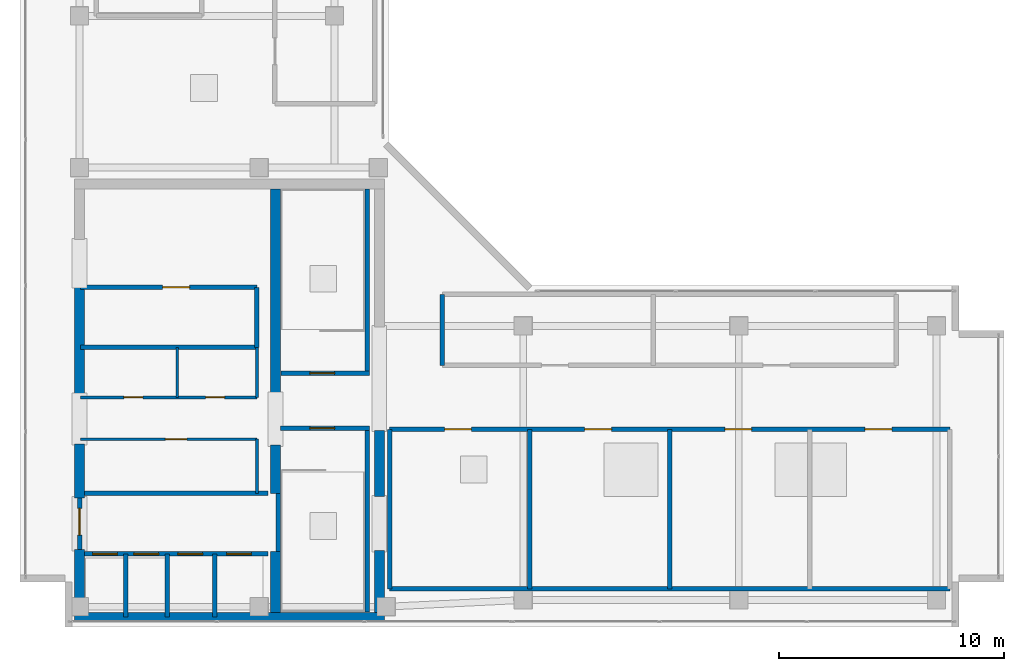
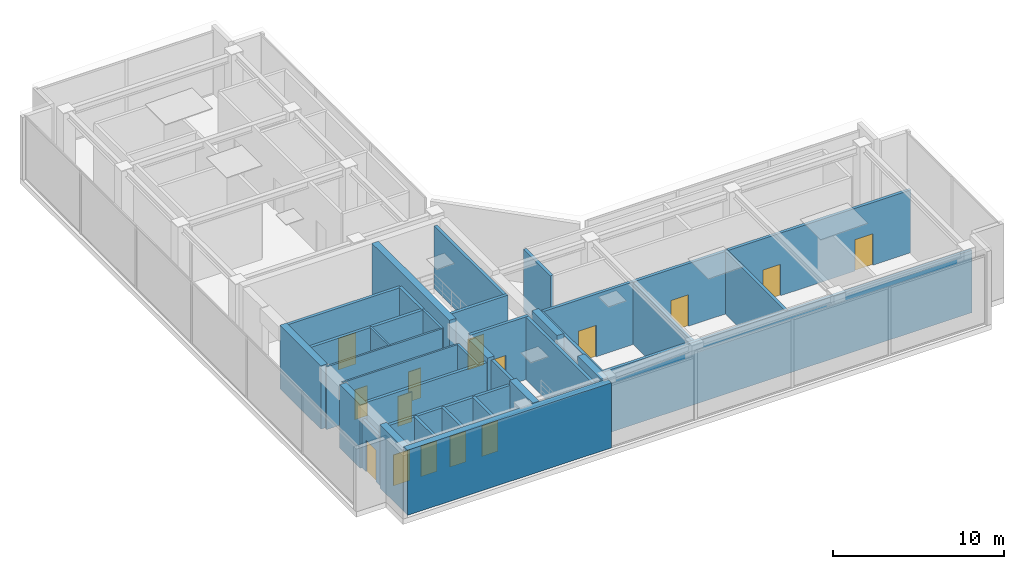
# One storey, part 20 of 22: 34 walls, 15 doors, 15 openings.
"""IFC4 building model written with IfcOpenShell, lengths in metres."""

from ifc_helpers import new_model, si_unit, direction, frame, frame_2d, origin, place, context, subcontext, project, spatial, rectangle, extrude, material, layer, layer_set, type_object, element, fill, save


model = new_model("IFC4")

# Units and contexts
model_context = context("Model", 3, precision=1e-05, world=origin(), true_north=direction((0.0, 1.0)))
body_context = subcontext(model_context, "Body", "Model", "MODEL_VIEW")
ifc_project = project(units=[si_unit("LENGTHUNIT", "METRE"), si_unit("AREAUNIT", "SQUARE_METRE"), si_unit("VOLUMEUNIT", "CUBIC_METRE"), si_unit("PLANEANGLEUNIT", "RADIAN"), si_unit("MASSUNIT", "GRAM", prefix="KILO")], contexts=[model_context])

# Site, building, storey
site_placement = place(None, origin())
site = spatial("IfcSite", under=ifc_project, at=site_placement, CompositionType="ELEMENT")
building_placement = place(site_placement, origin())
building = spatial("IfcBuilding", under=site, at=building_placement, Name="Kolvaren Waterfront Exchange", CompositionType="ELEMENT")
storey_placement = place(building_placement, frame((0.0, 0.0, 360.39990234375)))
storey = spatial("IfcBuildingStorey", under=building, at=storey_placement, Name="RF", CompositionType="ELEMENT", Elevation=360.39990234375)

# Wall, opening, door
ifc_material_1 = material(Name="Precast concrete C40/50", Category="concrete")
ifc_layer_1 = layer(ifc_material_1, 0.199951171875, Name="Precast concrete C40/50")
ifc_layer_set_1 = layer_set([ifc_layer_1], Name="Precast concrete C40/50")
wall_type_1 = type_object("IfcWallType", Name="ARC-FIRE-200", PredefinedType="PARTITIONING", material=ifc_layer_set_1)
wall_1_placement = place(storey_placement, frame((16.39990234375, 12.85009765625, 0.0), z_axis=(0.0, 0.0, 1.0), x_axis=(1.0, 0.0, 0.0)))
wall_1 = element("IfcWall", 1, at=wall_1_placement, inside=storey, type_object=wall_type_1, Name="RF interior wall PW-RF-ST1-THROAT-S", PredefinedType="PARTITIONING", context=body_context, shape_type="SweptSolid", body=[
    extrude(rectangle(XDim=3.960205078125, YDim=0.199951171875, at=frame_2d((1.97998046875, 0.0))), origin(), (0.0, 0.0, 1.0), 4.47998046875),
])
opening_1_placement = place(wall_1_placement, frame((1.3037109375, 0.0, 0.0)))
opening_1 = element("IfcOpeningElement", 2, at=opening_1_placement, cuts=wall_1, Name="Opening FD2", PredefinedType="OPENING", context=body_context, shape_type="SweptSolid", body=[
    extrude(rectangle(XDim=1.10009765625, YDim=2.199951171875, at=frame_2d((0.550048828125, 1.10009765625))), frame((0.0, 0.10986328125, 0.0), z_axis=(0.0, -1.0, 0.0), x_axis=(1.0, 0.0, 0.0)), (0.0, 0.0, 1.0), 0.219970703125),
])
ifc_material_2 = material(Name="Pressed steel smoke-seal fire door", Category="steel")
door_type_1 = type_object("IfcDoorType", Name="ARC-FD-1100", OperationType="NOTDEFINED", PredefinedType="DOOR", material=ifc_material_2)
door_1_placement = place(opening_1_placement, frame((1.10009765625, 0.0, 0.0), z_axis=(0.0, 0.0, 1.0), x_axis=(-1.0, 0.0, 0.0)))
door_1 = element("IfcDoor", 3, at=door_1_placement, inside=storey, type_object=door_type_1, Name="RF door DR-RF-ST1-IN (FD2)", OperationType="SINGLE_SWING_LEFT", OverallHeight=2.199951171875, OverallWidth=1.10009765625, PredefinedType="DOOR", context=body_context, shape_type="SweptSolid", body=[
    extrude(rectangle(XDim=1.10009765625, YDim=2.199951171875, at=frame_2d((0.550048828125, 1.10009765625))), frame((0.0, 0.02490234375, 0.0), z_axis=(0.0, -1.0, 0.0), x_axis=(1.0, 0.0, 0.0)), (0.0, 0.0, 1.0), 0.050048828125),
])
fill(opening_1, door_1)

wall_2_placement = place(storey_placement, frame((16.409912109375, 15.300048828125, 0.0), z_axis=(0.0, 0.0, 1.0), x_axis=(1.0, 0.0, 0.0)))
wall_2 = element("IfcWall", 4, at=wall_2_placement, inside=storey, type_object=wall_type_1, Name="RF interior wall PW-RF-ST2-THROAT-N", PredefinedType="PARTITIONING", context=body_context, shape_type="SweptSolid", body=[
    extrude(rectangle(XDim=3.9501953125, YDim=0.199951171875, at=frame_2d((1.97509765625, 0.0))), origin(), (0.0, 0.0, 1.0), 4.47998046875),
])
opening_2_placement = place(wall_2_placement, frame((1.293701171875, 0.0, 0.0)))
opening_2 = element("IfcOpeningElement", 5, at=opening_2_placement, cuts=wall_2, Name="Opening FD2", PredefinedType="OPENING", context=body_context, shape_type="SweptSolid", body=[
    extrude(rectangle(XDim=1.10009765625, YDim=2.199951171875, at=frame_2d((0.550048828125, 1.10009765625))), frame((0.0, 0.10986328125, 0.0), z_axis=(0.0, -1.0, 0.0), x_axis=(1.0, 0.0, 0.0)), (0.0, 0.0, 1.0), 0.219970703125),
])
door_2_placement = place(opening_2_placement, origin())
door_2 = element("IfcDoor", 6, at=door_2_placement, inside=storey, type_object=door_type_1, Name="RF door DR-RF-ST2-IN (FD2)", OperationType="SINGLE_SWING_RIGHT", OverallHeight=2.199951171875, OverallWidth=1.10009765625, PredefinedType="DOOR", context=body_context, shape_type="SweptSolid", body=[
    extrude(rectangle(XDim=1.10009765625, YDim=2.199951171875, at=frame_2d((0.550048828125, 1.10009765625))), frame((0.0, 0.02490234375, 0.0), z_axis=(0.0, -1.0, 0.0), x_axis=(1.0, 0.0, 0.0)), (0.0, 0.0, 1.0), 0.050048828125),
])
fill(opening_2, door_2)

# Wall
wall_3_placement = place(storey_placement, frame((7.5, 9.949951171875, 0.0), z_axis=(0.0, 0.0, 1.0), x_axis=(1.0, 0.0, 0.0)))
element("IfcWall", 7, at=wall_3_placement, inside=storey, type_object=wall_type_1, Name="RF interior wall PW-RF-FF-N", PredefinedType="PARTITIONING", context=body_context, shape_type="SweptSolid", body=[
    extrude(rectangle(XDim=8.35009765625, YDim=0.199951171875, at=frame_2d((4.175048828125, 0.0))), origin(), (0.0, 0.0, 1.0), 4.47998046875),
])

# Wall, opening, door
wall_4_placement = place(storey_placement, frame((7.449951171875, 7.449951171875, 0.0), z_axis=(0.0, 0.0, 1.0), x_axis=(0.0, 1.0, 0.0)))
wall_4 = element("IfcWall", 8, at=wall_4_placement, inside=storey, type_object=wall_type_1, Name="RF interior wall PW-RF-FF-W-DOOR", PredefinedType="PARTITIONING", context=body_context, shape_type="SweptSolid", body=[
    extrude(rectangle(XDim=2.300048828125, YDim=0.199951171875, at=frame_2d((1.14990234375, 0.0))), origin(), (0.0, 0.0, 1.0), 3.460205078125),
])
opening_3_placement = place(wall_4_placement, frame((0.63330078125, 0.0, 0.0)))
opening_3 = element("IfcOpeningElement", 9, at=opening_3_placement, cuts=wall_4, Name="Opening FD3", PredefinedType="OPENING", context=body_context, shape_type="SweptSolid", body=[
    extrude(rectangle(XDim=1.199951171875, YDim=2.25, at=frame_2d((0.60009765625, 1.125))), frame((0.0, 0.10986328125, 0.0), z_axis=(0.0, -1.0, 0.0), x_axis=(1.0, 0.0, 0.0)), (0.0, 0.0, 1.0), 0.219970703125),
])
ifc_material_3 = material(Name="Pressed steel fire door", Category="steel")
door_type_2 = type_object("IfcDoorType", Name="ARC-FD-1200", OperationType="NOTDEFINED", PredefinedType="DOOR", material=ifc_material_3)
door_3_placement = place(opening_3_placement, frame((1.199951171875, 0.0, 0.0), z_axis=(0.0, 0.0, 1.0), x_axis=(-1.0, 0.0, 0.0)))
door_3 = element("IfcDoor", 10, at=door_3_placement, inside=storey, type_object=door_type_2, Name="RF door DR-RF-FF-OUT (FD3)", OperationType="SINGLE_SWING_LEFT", OverallHeight=2.25, OverallWidth=1.199951171875, PredefinedType="DOOR", context=body_context, shape_type="SweptSolid", body=[
    extrude(rectangle(XDim=1.199951171875, YDim=2.25, at=frame_2d((0.60009765625, 1.125))), frame((0.0, 0.02490234375, 0.0), z_axis=(0.0, -1.0, 0.0), x_axis=(1.0, 0.0, 0.0)), (0.0, 0.0, 1.0), 0.050048828125),
])
fill(opening_3, door_3)

wall_5_placement = place(storey_placement, frame((7.5, 19.1201171875, 0.0), z_axis=(0.0, 0.0, 1.0), x_axis=(1.0, 0.0, 0.0)))
wall_5 = element("IfcWall", 11, at=wall_5_placement, inside=storey, type_object=wall_type_1, Name="RF interior wall PW-RF-RF-PH-N", PredefinedType="PARTITIONING", context=body_context, shape_type="SweptSolid", body=[
    extrude(rectangle(XDim=7.85009765625, YDim=0.199951171875, at=frame_2d((3.925048828125, 0.0))), origin(), (0.0, 0.0, 1.0), 4.47998046875),
])
opening_4_placement = place(wall_5_placement, frame((3.64990234375, 0.0, 0.0)))
opening_4 = element("IfcOpeningElement", 12, at=opening_4_placement, cuts=wall_5, Name="Opening FD3", PredefinedType="OPENING", context=body_context, shape_type="SweptSolid", body=[
    extrude(rectangle(XDim=1.199951171875, YDim=2.25, at=frame_2d((0.60009765625, 1.125))), frame((0.0, 0.10986328125, 0.0), z_axis=(0.0, -1.0, 0.0), x_axis=(1.0, 0.0, 0.0)), (0.0, 0.0, 1.0), 0.219970703125),
])
door_4_placement = place(opening_4_placement, origin())
door_4 = element("IfcDoor", 13, at=door_4_placement, inside=storey, type_object=door_type_2, Name="RF door DR-RF-RF-CP-D (FD3)", OperationType="SINGLE_SWING_LEFT", OverallHeight=2.25, OverallWidth=1.199951171875, PredefinedType="DOOR", context=body_context, shape_type="SweptSolid", body=[
    extrude(rectangle(XDim=1.199951171875, YDim=2.25, at=frame_2d((0.60009765625, 1.125))), frame((0.0, 0.02490234375, 0.0), z_axis=(0.0, -1.0, 0.0), x_axis=(1.0, 0.0, 0.0)), (0.0, 0.0, 1.0), 0.050048828125),
])
fill(opening_4, door_4)

# Walls
wall_6_placement = place(storey_placement, frame((15.35009765625, 16.449951171875, 0.0), z_axis=(0.0, 0.0, 1.0), x_axis=(0.0, 1.0, 0.0)))
element("IfcWall", 14, at=wall_6_placement, inside=storey, type_object=wall_type_1, Name="RF interior wall PW-RF-RF-PH-E", PredefinedType="PARTITIONING", context=body_context, shape_type="SweptSolid", body=[
    extrude(rectangle(XDim=2.670166015625, YDim=0.199951171875, at=frame_2d((1.3349609375, 0.0))), origin(), (0.0, 0.0, 1.0), 4.47998046875),
])
wall_7_placement = place(storey_placement, frame((23.60009765625, 15.64990234375, 0.0), z_axis=(0.0, 0.0, 1.0), x_axis=(0.0, 1.0, 0.0)))
element("IfcWall", 15, at=wall_7_placement, inside=storey, type_object=wall_type_1, Name="RF interior wall PW-RF-NEPL-W", PredefinedType="PARTITIONING", context=body_context, shape_type="SweptSolid", body=[
    extrude(rectangle(XDim=3.150146484375, YDim=0.199951171875, at=frame_2d((1.5751953125, 0.0))), origin(), (0.0, 0.0, 1.0), 4.47998046875),
])

# Wall, openings, doors
wall_8_placement = place(storey_placement, frame((21.25, 12.800048828125, 0.0), z_axis=(0.0, 0.0, 1.0), x_axis=(1.0, 0.0, 0.0)))
wall_8 = element("IfcWall", 16, at=wall_8_placement, inside=storey, type_object=wall_type_1, Name="RF interior wall PW-RF-PL-N1", PredefinedType="PARTITIONING", context=body_context, shape_type="SweptSolid", body=[
    extrude(rectangle(XDim=24.949951171875, YDim=0.199951171875, at=frame_2d((12.47509765625, 0.0))), origin(), (0.0, 0.0, 1.0), 4.47998046875),
])
opening_5_placement = place(wall_8_placement, frame((2.448486328125, 0.0, 0.0)))
opening_5 = element("IfcOpeningElement", 17, at=opening_5_placement, cuts=wall_8, Name="Opening FD3", PredefinedType="OPENING", context=body_context, shape_type="SweptSolid", body=[
    extrude(rectangle(XDim=1.199951171875, YDim=2.25, at=frame_2d((0.60009765625, 1.125))), frame((0.0, 0.10986328125, 0.0), z_axis=(0.0, -1.0, 0.0), x_axis=(1.0, 0.0, 0.0)), (0.0, 0.0, 1.0), 0.219970703125),
])
opening_6_placement = place(wall_8_placement, frame((8.688720703125, 0.0, 0.0)))
opening_6 = element("IfcOpeningElement", 18, at=opening_6_placement, cuts=wall_8, Name="Opening FD3", PredefinedType="OPENING", context=body_context, shape_type="SweptSolid", body=[
    extrude(rectangle(XDim=1.199951171875, YDim=2.25, at=frame_2d((0.60009765625, 1.125))), frame((0.0, 0.10986328125, 0.0), z_axis=(0.0, -1.0, 0.0), x_axis=(1.0, 0.0, 0.0)), (0.0, 0.0, 1.0), 0.219970703125),
])
opening_7_placement = place(wall_8_placement, frame((14.923828125, 0.0, 0.0)))
opening_7 = element("IfcOpeningElement", 19, at=opening_7_placement, cuts=wall_8, Name="Opening FD3", PredefinedType="OPENING", context=body_context, shape_type="SweptSolid", body=[
    extrude(rectangle(XDim=1.199951171875, YDim=2.25, at=frame_2d((0.60009765625, 1.125))), frame((0.0, 0.10986328125, 0.0), z_axis=(0.0, -1.0, 0.0), x_axis=(1.0, 0.0, 0.0)), (0.0, 0.0, 1.0), 0.219970703125),
])
opening_8_placement = place(wall_8_placement, frame((21.15869140625, 0.0, 0.0)))
opening_8 = element("IfcOpeningElement", 20, at=opening_8_placement, cuts=wall_8, Name="Opening FD3", PredefinedType="OPENING", context=body_context, shape_type="SweptSolid", body=[
    extrude(rectangle(XDim=1.199951171875, YDim=2.25, at=frame_2d((0.60009765625, 1.125))), frame((0.0, 0.10986328125, 0.0), z_axis=(0.0, -1.0, 0.0), x_axis=(1.0, 0.0, 0.0)), (0.0, 0.0, 1.0), 0.219970703125),
])
door_5_placement = place(opening_5_placement, origin())
door_5 = element("IfcDoor", 21, at=door_5_placement, inside=storey, type_object=door_type_2, Name="RF door DR-RF-PLES-D1 (FD3)", OperationType="SINGLE_SWING_RIGHT", OverallHeight=2.25, OverallWidth=1.199951171875, PredefinedType="DOOR", context=body_context, shape_type="SweptSolid", body=[
    extrude(rectangle(XDim=1.199951171875, YDim=2.25, at=frame_2d((0.60009765625, 1.125))), frame((0.0, 0.02490234375, 0.0), z_axis=(0.0, -1.0, 0.0), x_axis=(1.0, 0.0, 0.0)), (0.0, 0.0, 1.0), 0.050048828125),
])
fill(opening_5, door_5)
door_6_placement = place(opening_6_placement, origin())
door_6 = element("IfcDoor", 22, at=door_6_placement, inside=storey, type_object=door_type_2, Name="RF door DR-RF-PLES-D2 (FD3)", OperationType="SINGLE_SWING_LEFT", OverallHeight=2.25, OverallWidth=1.199951171875, PredefinedType="DOOR", context=body_context, shape_type="SweptSolid", body=[
    extrude(rectangle(XDim=1.199951171875, YDim=2.25, at=frame_2d((0.60009765625, 1.125))), frame((0.0, 0.02490234375, 0.0), z_axis=(0.0, -1.0, 0.0), x_axis=(1.0, 0.0, 0.0)), (0.0, 0.0, 1.0), 0.050048828125),
])
fill(opening_6, door_6)
door_7_placement = place(opening_7_placement, origin())
door_7 = element("IfcDoor", 23, at=door_7_placement, inside=storey, type_object=door_type_2, Name="RF door DR-RF-PLES-D3 (FD3)", OperationType="SINGLE_SWING_RIGHT", OverallHeight=2.25, OverallWidth=1.199951171875, PredefinedType="DOOR", context=body_context, shape_type="SweptSolid", body=[
    extrude(rectangle(XDim=1.199951171875, YDim=2.25, at=frame_2d((0.60009765625, 1.125))), frame((0.0, 0.02490234375, 0.0), z_axis=(0.0, -1.0, 0.0), x_axis=(1.0, 0.0, 0.0)), (0.0, 0.0, 1.0), 0.050048828125),
])
fill(opening_7, door_7)
door_8_placement = place(opening_8_placement, origin())
door_8 = element("IfcDoor", 24, at=door_8_placement, inside=storey, type_object=door_type_2, Name="RF door DR-RF-PLES-D4 (FD3)", OperationType="SINGLE_SWING_LEFT", OverallHeight=2.25, OverallWidth=1.199951171875, PredefinedType="DOOR", context=body_context, shape_type="SweptSolid", body=[
    extrude(rectangle(XDim=1.199951171875, YDim=2.25, at=frame_2d((0.60009765625, 1.125))), frame((0.0, 0.02490234375, 0.0), z_axis=(0.0, -1.0, 0.0), x_axis=(1.0, 0.0, 0.0)), (0.0, 0.0, 1.0), 0.050048828125),
])
fill(opening_8, door_8)

# Walls
wall_9_placement = place(storey_placement, frame((21.25, 5.699951171875, 0.0), z_axis=(0.0, 0.0, 1.0), x_axis=(0.0, 1.0, 0.0)))
element("IfcWall", 25, at=wall_9_placement, inside=storey, type_object=wall_type_1, Name="RF interior wall PW-RF-PL-W1", PredefinedType="PARTITIONING", context=body_context, shape_type="SweptSolid", body=[
    extrude(rectangle(XDim=7.10009765625, YDim=0.199951171875, at=frame_2d((3.550048828125, 0.0))), origin(), (0.0, 0.0, 1.0), 4.47998046875),
])
wall_10_placement = place(storey_placement, frame((21.25, 5.699951171875, 0.0), z_axis=(0.0, 0.0, 1.0), x_axis=(1.0, 0.0, 0.0)))
element("IfcWall", 26, at=wall_10_placement, inside=storey, type_object=wall_type_1, Name="RF interior wall PW-RF-PL-S1", PredefinedType="PARTITIONING", context=body_context, shape_type="SweptSolid", body=[
    extrude(rectangle(XDim=24.949951171875, YDim=0.199951171875, at=frame_2d((12.47509765625, 0.0))), origin(), (0.0, 0.0, 1.0), 4.47998046875),
])
wall_11_placement = place(storey_placement, frame((27.489990234375, 5.699951171875, 0.0), z_axis=(0.0, 0.0, 1.0), x_axis=(0.0, 1.0, 0.0)))
element("IfcWall", 27, at=wall_11_placement, inside=storey, type_object=wall_type_1, Name="RF interior wall PW-RF-PL-M1-1", PredefinedType="PARTITIONING", context=body_context, shape_type="SweptSolid", body=[
    extrude(rectangle(XDim=7.10009765625, YDim=0.199951171875, at=frame_2d((3.550048828125, 0.0))), origin(), (0.0, 0.0, 1.0), 4.40966796875),
])
wall_12_placement = place(storey_placement, frame((33.72998046875, 5.699951171875, 0.0), z_axis=(0.0, 0.0, 1.0), x_axis=(0.0, 1.0, 0.0)))
element("IfcWall", 28, at=wall_12_placement, inside=storey, type_object=wall_type_1, Name="RF interior wall PW-RF-PL-M1-2", PredefinedType="PARTITIONING", context=body_context, shape_type="SweptSolid", body=[
    extrude(rectangle(XDim=7.10009765625, YDim=0.199951171875, at=frame_2d((3.550048828125, 0.0))), origin(), (0.0, 0.0, 1.0), 4.47998046875),
])

# Wall, opening, door
ifc_material_4 = material(Name="Acoustic gypsum steel stud", Category="steel")
ifc_layer_2 = layer(ifc_material_4, 0.125, Name="Acoustic gypsum steel stud")
ifc_layer_set_2 = layer_set([ifc_layer_2], Name="Acoustic gypsum steel stud")
wall_type_2 = type_object("IfcWallType", Name="ARC-PART-125", PredefinedType="PARTITIONING", material=ifc_layer_set_2)
wall_13_placement = place(storey_placement, frame((7.5, 12.360107421875, 0.0), z_axis=(0.0, 0.0, 1.0), x_axis=(1.0, 0.0, 0.0)))
wall_13 = element("IfcWall", 29, at=wall_13_placement, inside=storey, type_object=wall_type_2, Name="RF interior wall PW-RF-REC-HI-S", PredefinedType="PARTITIONING", context=body_context, shape_type="SweptSolid", body=[
    extrude(rectangle(XDim=7.85009765625, YDim=0.125, at=frame_2d((3.925048828125, 0.0))), origin(), (0.0, 0.0, 1.0), 4.47998046875),
])
opening_9_placement = place(wall_13_placement, frame((3.77490234375, 0.0, 0.0)))
opening_9 = element("IfcOpeningElement", 30, at=opening_9_placement, cuts=wall_13, Name="Opening D02", PredefinedType="OPENING", context=body_context, shape_type="SweptSolid", body=[
    extrude(rectangle(XDim=0.949951171875, YDim=2.14990234375, at=frame_2d((0.47509765625, 1.074951171875))), frame((0.0, 0.072509765625, 0.0), z_axis=(0.0, -1.0, 0.0), x_axis=(1.0, 0.0, 0.0)), (0.0, 0.0, 1.0), 0.14501953125),
])
ifc_material_5 = material(Name="Oak veneer acoustic timber", Category="wood")
door_type_3 = type_object("IfcDoorType", Name="ARC-DR-950", OperationType="NOTDEFINED", PredefinedType="DOOR", material=ifc_material_5)
door_9_placement = place(opening_9_placement, origin())
door_9 = element("IfcDoor", 31, at=door_9_placement, inside=storey, type_object=door_type_3, Name="RF door DR-RF-REC-HI-D1 (D02)", OperationType="SINGLE_SWING_RIGHT", OverallHeight=2.14990234375, OverallWidth=0.949951171875, PredefinedType="DOOR", context=body_context, shape_type="SweptSolid", body=[
    extrude(rectangle(XDim=0.949951171875, YDim=2.14990234375, at=frame_2d((0.47509765625, 1.074951171875))), frame((0.0, 0.02490234375, 0.0), z_axis=(0.0, -1.0, 0.0), x_axis=(1.0, 0.0, 0.0)), (0.0, 0.0, 1.0), 0.050048828125),
])
fill(opening_9, door_9)

# Wall, openings, doors
wall_14_placement = place(storey_placement, frame((7.5, 14.219970703125, 0.0), z_axis=(0.0, 0.0, 1.0), x_axis=(1.0, 0.0, 0.0)))
wall_14 = element("IfcWall", 32, at=wall_14_placement, inside=storey, type_object=wall_type_2, Name="RF interior wall PW-RF-REC-HI-N", PredefinedType="PARTITIONING", context=body_context, shape_type="SweptSolid", body=[
    extrude(rectangle(XDim=7.85009765625, YDim=0.125, at=frame_2d((3.925048828125, 0.0))), origin(), (0.0, 0.0, 1.0), 4.47998046875),
])
opening_10_placement = place(wall_14_placement, frame((1.925048828125, 0.0, 0.0)))
opening_10 = element("IfcOpeningElement", 33, at=opening_10_placement, cuts=wall_14, Name="Opening D01", PredefinedType="OPENING", context=body_context, shape_type="SweptSolid", body=[
    extrude(rectangle(XDim=0.85009765625, YDim=2.14990234375, at=frame_2d((0.425048828125, 1.074951171875))), frame((0.0, 0.072509765625, 0.0), z_axis=(0.0, -1.0, 0.0), x_axis=(1.0, 0.0, 0.0)), (0.0, 0.0, 1.0), 0.14501953125),
])
opening_11_placement = place(wall_14_placement, frame((5.56298828125, 0.0, 0.0)))
opening_11 = element("IfcOpeningElement", 34, at=opening_11_placement, cuts=wall_14, Name="Opening D01", PredefinedType="OPENING", context=body_context, shape_type="SweptSolid", body=[
    extrude(rectangle(XDim=0.85009765625, YDim=2.14990234375, at=frame_2d((0.425048828125, 1.074951171875))), frame((0.0, 0.072509765625, 0.0), z_axis=(0.0, -1.0, 0.0), x_axis=(1.0, 0.0, 0.0)), (0.0, 0.0, 1.0), 0.14501953125),
])
ifc_material_6 = material(Name="Oak veneer timber leaf", Category="wood")
door_type_4 = type_object("IfcDoorType", Name="ARC-DR-900", OperationType="NOTDEFINED", PredefinedType="DOOR", material=ifc_material_6)
door_10_placement = place(opening_10_placement, origin())
door_10 = element("IfcDoor", 35, at=door_10_placement, inside=storey, type_object=door_type_4, Name="RF door DR-RF-REC-HI-D2 (D01)", OperationType="SINGLE_SWING_LEFT", OverallHeight=2.14990234375, OverallWidth=0.85009765625, PredefinedType="DOOR", context=body_context, shape_type="SweptSolid", body=[
    extrude(rectangle(XDim=0.85009765625, YDim=2.14990234375, at=frame_2d((0.425048828125, 1.074951171875))), frame((0.0, 0.02490234375, 0.0), z_axis=(0.0, -1.0, 0.0), x_axis=(1.0, 0.0, 0.0)), (0.0, 0.0, 1.0), 0.050048828125),
])
fill(opening_10, door_10)
door_11_placement = place(opening_11_placement, origin())
door_11 = element("IfcDoor", 36, at=door_11_placement, inside=storey, type_object=door_type_4, Name="RF door DR-RF-REC-HI-D3 (D01)", OperationType="SINGLE_SWING_RIGHT", OverallHeight=2.14990234375, OverallWidth=0.85009765625, PredefinedType="DOOR", context=body_context, shape_type="SweptSolid", body=[
    extrude(rectangle(XDim=0.85009765625, YDim=2.14990234375, at=frame_2d((0.425048828125, 1.074951171875))), frame((0.0, 0.02490234375, 0.0), z_axis=(0.0, -1.0, 0.0), x_axis=(1.0, 0.0, 0.0)), (0.0, 0.0, 1.0), 0.050048828125),
])
fill(opening_11, door_11)

# Walls
wall_15_placement = place(storey_placement, frame((11.800048828125, 14.219970703125, 0.0), z_axis=(0.0, 0.0, 1.0), x_axis=(0.0, 1.0, 0.0)))
element("IfcWall", 37, at=wall_15_placement, inside=storey, type_object=wall_type_2, Name="RF interior wall PW-RF-REC-HI-MN2", PredefinedType="PARTITIONING", context=body_context, shape_type="SweptSolid", body=[
    extrude(rectangle(XDim=2.22998046875, YDim=0.125, at=frame_2d((1.114990234375, 0.0))), origin(), (0.0, 0.0, 1.0), 4.47998046875),
])
ifc_material_7 = material(Name="Gypsum fireboard steel stud", Category="steel")
ifc_layer_3 = layer(ifc_material_7, 0.14990234375, Name="Gypsum fireboard steel stud")
ifc_layer_set_3 = layer_set([ifc_layer_3], Name="Gypsum fireboard steel stud")
wall_type_3 = type_object("IfcWallType", Name="ARC-PART-150", PredefinedType="PARTITIONING", material=ifc_layer_set_3)
wall_16_placement = place(storey_placement, frame((15.35009765625, 9.949951171875, 0.0), z_axis=(0.0, 0.0, 1.0), x_axis=(0.0, 1.0, 0.0)))
element("IfcWall", 38, at=wall_16_placement, inside=storey, type_object=wall_type_3, Name="RF interior wall PW-RF-REC-HI-E1", PredefinedType="PARTITIONING", context=body_context, shape_type="SweptSolid", body=[
    extrude(rectangle(XDim=2.41015625, YDim=0.14990234375, at=frame_2d((1.205078125, 0.0))), origin(), (0.0, 0.0, 1.0), 4.47998046875),
])
wall_17_placement = place(storey_placement, frame((15.35009765625, 14.219970703125, 0.0), z_axis=(0.0, 0.0, 1.0), x_axis=(0.0, 1.0, 0.0)))
element("IfcWall", 39, at=wall_17_placement, inside=storey, type_object=wall_type_3, Name="RF interior wall PW-RF-REC-HI-E2", PredefinedType="PARTITIONING", context=body_context, shape_type="SweptSolid", body=[
    extrude(rectangle(XDim=2.22998046875, YDim=0.14990234375, at=frame_2d((1.114990234375, 0.0))), origin(), (0.0, 0.0, 1.0), 4.47998046875),
])
ifc_material_8 = material(Name="Concrete C40/50", Category="concrete")
ifc_layer_4 = layer(ifc_material_8, 0.199951171875, Name="Concrete C40/50")
ifc_layer_set_4 = layer_set([ifc_layer_4], Name="Concrete C40/50")
wall_type_4 = type_object("IfcWallType", Name="ARC-SHAFT-200", PredefinedType="PARTITIONING", material=ifc_layer_set_4)
wall_18_placement = place(storey_placement, frame((16.300048828125, 7.360107421875, 0.0), z_axis=(0.0, 0.0, 1.0), x_axis=(0.0, 1.0, 0.0)))
element("IfcWall", 40, at=wall_18_placement, inside=storey, type_object=wall_type_4, Name="RF structural stairwell wall PW-RF-ST1-W", PredefinedType="SHEAR", context=body_context, shape_type="SweptSolid", body=[
    extrude(rectangle(XDim=2.579833984375, YDim=0.199951171875, at=frame_2d((1.2900390625, 0.0))), origin(), (0.0, 0.0, 1.0), 4.47998046875),
])
for number, where, z_axis, x_axis, name in (
    (41, (20.260009765625, 4.659912109375, 0.0), (0.0, 0.0, 1.0), (0.0, 1.0, 0.0), "RF structural stairwell wall PW-RF-ST1-E"),
    (42, (20.260009765625, 15.39990234375, 0.0), (0.0, 0.0, 1.0), (0.0, 1.0, 0.0), "RF structural stairwell wall PW-RF-ST2-E"),
):
    element("IfcWall", number, at=place(storey_placement, frame(where, z_axis=z_axis, x_axis=x_axis)), inside=storey, type_object=wall_type_4, Name=name, PredefinedType="SHEAR", context=body_context, shape_type="SweptSolid", body=[
        extrude(rectangle(XDim=8.090087890625, YDim=0.199951171875, at=frame_2d((4.044921875, 0.0))), origin(), (0.0, 0.0, 1.0), 4.47998046875),
    ])

# Wall, openings, doors
wall_19_placement = place(storey_placement, frame((7.5, 7.25, 0.0), z_axis=(0.0, 0.0, 1.0), x_axis=(1.0, 0.0, 0.0)))
wall_19 = element("IfcWall", 43, at=wall_19_placement, inside=storey, type_object=wall_type_4, Name="RF interior wall PW-RF-FF-S", PredefinedType="PARTITIONING", context=body_context, shape_type="SweptSolid", body=[
    extrude(rectangle(XDim=8.35009765625, YDim=0.199951171875, at=frame_2d((4.175048828125, 0.0))), origin(), (0.0, 0.0, 1.0), 4.47998046875),
])
opening_12_placement = place(wall_19_placement, frame((0.530029296875, 0.0, 0.0)))
opening_12 = element("IfcOpeningElement", 44, at=opening_12_placement, cuts=wall_19, Name="Opening LD1", PredefinedType="OPENING", context=body_context, shape_type="SweptSolid", body=[
    extrude(rectangle(XDim=1.10009765625, YDim=2.199951171875, at=frame_2d((0.550048828125, 1.10009765625))), frame((0.0, 0.10986328125, 0.0), z_axis=(0.0, -1.0, 0.0), x_axis=(1.0, 0.0, 0.0)), (0.0, 0.0, 1.0), 0.219970703125),
])
opening_13_placement = place(wall_19_placement, frame((2.3701171875, 0.0, 0.0)))
opening_13 = element("IfcOpeningElement", 45, at=opening_13_placement, cuts=wall_19, Name="Opening LD1", PredefinedType="OPENING", context=body_context, shape_type="SweptSolid", body=[
    extrude(rectangle(XDim=1.10009765625, YDim=2.199951171875, at=frame_2d((0.550048828125, 1.10009765625))), frame((0.0, 0.10986328125, 0.0), z_axis=(0.0, -1.0, 0.0), x_axis=(1.0, 0.0, 0.0)), (0.0, 0.0, 1.0), 0.219970703125),
])
opening_14_placement = place(wall_19_placement, frame((4.330078125, 0.0, 0.0)))
opening_14 = element("IfcOpeningElement", 46, at=opening_14_placement, cuts=wall_19, Name="Opening LD1", PredefinedType="OPENING", context=body_context, shape_type="SweptSolid", body=[
    extrude(rectangle(XDim=1.10009765625, YDim=2.199951171875, at=frame_2d((0.550048828125, 1.10009765625))), frame((0.0, 0.10986328125, 0.0), z_axis=(0.0, -1.0, 0.0), x_axis=(1.0, 0.0, 0.0)), (0.0, 0.0, 1.0), 0.219970703125),
])
opening_15_placement = place(wall_19_placement, frame((6.5, 0.0, 0.0)))
opening_15 = element("IfcOpeningElement", 47, at=opening_15_placement, cuts=wall_19, Name="Opening LD1", PredefinedType="OPENING", context=body_context, shape_type="SweptSolid", body=[
    extrude(rectangle(XDim=1.10009765625, YDim=2.199951171875, at=frame_2d((0.550048828125, 1.10009765625))), frame((0.0, 0.10986328125, 0.0), z_axis=(0.0, -1.0, 0.0), x_axis=(1.0, 0.0, 0.0)), (0.0, 0.0, 1.0), 0.219970703125),
])
ifc_material_9 = material(Name="Stainless steel sliding landing door", Category="steel")
door_type_5 = type_object("IfcDoorType", Name="ARC-LD-FF", OperationType="SLIDING_TO_LEFT", PredefinedType="DOOR", material=ifc_material_9)
door_12_placement = place(opening_12_placement, origin())
door_12 = element("IfcDoor", 48, at=door_12_placement, inside=storey, type_object=door_type_5, Name="RF door LD-RF-FFL1 (LD1)", OperationType="SLIDING_TO_LEFT", OverallHeight=2.199951171875, OverallWidth=1.10009765625, PredefinedType="DOOR", context=body_context, shape_type="SweptSolid", body=[
    extrude(rectangle(XDim=1.10009765625, YDim=2.199951171875, at=frame_2d((0.550048828125, 1.10009765625))), frame((0.0, 0.02490234375, 0.0), z_axis=(0.0, -1.0, 0.0), x_axis=(1.0, 0.0, 0.0)), (0.0, 0.0, 1.0), 0.050048828125),
])
fill(opening_12, door_12)
door_13_placement = place(opening_13_placement, origin())
door_13 = element("IfcDoor", 49, at=door_13_placement, inside=storey, type_object=door_type_5, Name="RF door LD-RF-FFL2 (LD1)", OperationType="SLIDING_TO_LEFT", OverallHeight=2.199951171875, OverallWidth=1.10009765625, PredefinedType="DOOR", context=body_context, shape_type="SweptSolid", body=[
    extrude(rectangle(XDim=1.10009765625, YDim=2.199951171875, at=frame_2d((0.550048828125, 1.10009765625))), frame((0.0, 0.02490234375, 0.0), z_axis=(0.0, -1.0, 0.0), x_axis=(1.0, 0.0, 0.0)), (0.0, 0.0, 1.0), 0.050048828125),
])
fill(opening_13, door_13)
door_14_placement = place(opening_14_placement, origin())
door_14 = element("IfcDoor", 50, at=door_14_placement, inside=storey, type_object=door_type_5, Name="RF door LD-RF-GL1 (LD1)", OperationType="SLIDING_TO_LEFT", OverallHeight=2.199951171875, OverallWidth=1.10009765625, PredefinedType="DOOR", context=body_context, shape_type="SweptSolid", body=[
    extrude(rectangle(XDim=1.10009765625, YDim=2.199951171875, at=frame_2d((0.550048828125, 1.10009765625))), frame((0.0, 0.02490234375, 0.0), z_axis=(0.0, -1.0, 0.0), x_axis=(1.0, 0.0, 0.0)), (0.0, 0.0, 1.0), 0.050048828125),
])
fill(opening_14, door_14)
door_15_placement = place(opening_15_placement, origin())
door_15 = element("IfcDoor", 51, at=door_15_placement, inside=storey, type_object=door_type_5, Name="RF door LD-RF-GL2 (LD1)", OperationType="SLIDING_TO_LEFT", OverallHeight=2.199951171875, OverallWidth=1.10009765625, PredefinedType="DOOR", context=body_context, shape_type="SweptSolid", body=[
    extrude(rectangle(XDim=1.10009765625, YDim=2.199951171875, at=frame_2d((0.550048828125, 1.10009765625))), frame((0.0, 0.02490234375, 0.0), z_axis=(0.0, -1.0, 0.0), x_axis=(1.0, 0.0, 0.0)), (0.0, 0.0, 1.0), 0.050048828125),
])
fill(opening_15, door_15)

# Walls
for number, where, z_axis, x_axis, name in (
    (52, (9.5, 4.449951171875, 0.0), (0.0, 0.0, 1.0), (0.0, 1.0, 0.0), "RF interior wall PW-RF-SH1-DIV-95"),
    (53, (11.360107421875, 4.449951171875, 0.0), (0.0, 0.0, 1.0), (0.0, 1.0, 0.0), "RF interior wall PW-RF-SH1-DIV-113"),
    (54, (13.4599609375, 4.449951171875, 0.0), (0.0, 0.0, 1.0), (0.0, 1.0, 0.0), "RF interior wall PW-RF-SH1-DIV-134"),
):
    element("IfcWall", number, at=place(storey_placement, frame(where, z_axis=z_axis, x_axis=x_axis)), inside=storey, type_object=wall_type_4, Name=name, PredefinedType="PARTITIONING", context=body_context, shape_type="SweptSolid", body=[
        extrude(rectangle(XDim=2.800048828125, YDim=0.199951171875, at=frame_2d((1.39990234375, 0.0))), origin(), (0.0, 0.0, 1.0), 4.47998046875),
    ])
wall_20_placement = place(storey_placement, frame((7.5, 16.449951171875, 0.0), z_axis=(0.0, 0.0, 1.0), x_axis=(1.0, 0.0, 0.0)))
element("IfcWall", 55, at=wall_20_placement, inside=storey, type_object=wall_type_4, Name="RF interior wall PW-RF-REC-PM-N", PredefinedType="PARTITIONING", context=body_context, shape_type="SweptSolid", body=[
    extrude(rectangle(XDim=7.85009765625, YDim=0.199951171875, at=frame_2d((3.925048828125, 0.0))), origin(), (0.0, 0.0, 1.0), 4.47998046875),
])
ifc_material_10 = material(Name="Concrete C50/60", Category="concrete")
ifc_layer_5 = layer(ifc_material_10, 0.449951171875, Name="Concrete C50/60")
ifc_layer_set_5 = layer_set([ifc_layer_5], Name="Concrete C50/60")
wall_type_5 = type_object("IfcWallType", Name="STR-CWALL-450", PredefinedType="SHEAR", material=ifc_layer_set_5)
wall_21_placement = place(storey_placement, frame((7.22509765625, 4.425048828125, 0.0), z_axis=(0.0, 0.0, 1.0), x_axis=(1.0, 0.0, 0.0)))
element("IfcWall", 56, at=wall_21_placement, inside=storey, type_object=wall_type_5, Name="RF rear-core shear wall S", PredefinedType="SHEAR", context=body_context, shape_type="SweptSolid", body=[
    extrude(rectangle(XDim=13.7998046875, YDim=0.449951171875, at=frame_2d((6.89990234375, 0.0))), origin(), (0.0, 0.0, 1.0), 4.658935546875),
])
wall_22_placement = place(storey_placement, frame((7.449951171875, 4.64990234375, 0.0), z_axis=(0.0, 0.0, 1.0), x_axis=(0.0, 1.0, 0.0)))
element("IfcWall", 57, at=wall_22_placement, inside=storey, type_object=wall_type_5, Name="RF rear-core shear wall W1", PredefinedType="SHEAR", context=body_context, shape_type="SweptSolid", body=[
    extrude(rectangle(XDim=2.800048828125, YDim=0.449951171875, at=frame_2d((1.39990234375, 0.0))), origin(), (0.0, 0.0, 1.0), 4.531005859375),
])
wall_23_placement = place(storey_placement, frame((7.449951171875, 9.75, 0.0), z_axis=(0.0, 0.0, 1.0), x_axis=(0.0, 1.0, 0.0)))
element("IfcWall", 58, at=wall_23_placement, inside=storey, type_object=wall_type_5, Name="RF rear-core shear wall W2A", PredefinedType="SHEAR", context=body_context, shape_type="SweptSolid", body=[
    extrude(rectangle(XDim=2.39990234375, YDim=0.449951171875, at=frame_2d((1.199951171875, 0.0))), origin(), (0.0, 0.0, 1.0), 4.531005859375),
])
wall_24_placement = place(storey_placement, frame((7.449951171875, 14.35009765625, 0.0), z_axis=(0.0, 0.0, 1.0), x_axis=(0.0, 1.0, 0.0)))
element("IfcWall", 59, at=wall_24_placement, inside=storey, type_object=wall_type_5, Name="RF rear-core shear wall W2B", PredefinedType="SHEAR", context=body_context, shape_type="SweptSolid", body=[
    extrude(rectangle(XDim=4.809814453125, YDim=0.449951171875, at=frame_2d((2.40478515625, 0.0))), origin(), (0.0, 0.0, 1.0), 4.531005859375),
])
wall_25_placement = place(storey_placement, frame((20.800048828125, 4.64990234375, 0.0), z_axis=(0.0, 0.0, 1.0), x_axis=(0.0, 1.0, 0.0)))
element("IfcWall", 60, at=wall_25_placement, inside=storey, type_object=wall_type_5, Name="RF rear-core shear wall E1", PredefinedType="SHEAR", context=body_context, shape_type="SweptSolid", body=[
    extrude(rectangle(XDim=2.75, YDim=0.449951171875, at=frame_2d((1.375, 0.0))), origin(), (0.0, 0.0, 1.0), 4.786865234375),
])
wall_26_placement = place(storey_placement, frame((20.800048828125, 9.800048828125, 0.0), z_axis=(0.0, 0.0, 1.0), x_axis=(0.0, 1.0, 0.0)))
element("IfcWall", 61, at=wall_26_placement, inside=storey, type_object=wall_type_5, Name="RF rear-core shear wall E2", PredefinedType="SHEAR", context=body_context, shape_type="SweptSolid", body=[
    extrude(rectangle(XDim=2.949951171875, YDim=0.449951171875, at=frame_2d((1.47509765625, 0.0))), origin(), (0.0, 0.0, 1.0), 4.786865234375),
])
wall_27_placement = place(storey_placement, frame((16.175048828125, 4.64990234375, 0.0), z_axis=(0.0, 0.0, 1.0), x_axis=(0.0, 1.0, 0.0)))
element("IfcWall", 62, at=wall_27_placement, inside=storey, type_object=wall_type_5, Name="RF rear-core shear wall M1", PredefinedType="SHEAR", context=body_context, shape_type="SweptSolid", body=[
    extrude(rectangle(XDim=2.7001953125, YDim=0.449951171875, at=frame_2d((1.35009765625, 0.0))), origin(), (0.0, 0.0, 1.0), 4.6982421875),
])
wall_28_placement = place(storey_placement, frame((16.175048828125, 9.949951171875, 0.0), z_axis=(0.0, 0.0, 1.0), x_axis=(0.0, 1.0, 0.0)))
element("IfcWall", 63, at=wall_28_placement, inside=storey, type_object=wall_type_5, Name="RF rear-core shear wall M2", PredefinedType="SHEAR", context=body_context, shape_type="SweptSolid", body=[
    extrude(rectangle(XDim=2.150146484375, YDim=0.449951171875, at=frame_2d((1.0751953125, 0.0))), origin(), (0.0, 0.0, 1.0), 4.6982421875),
])
wall_29_placement = place(storey_placement, frame((16.175048828125, 14.39990234375, 0.0), z_axis=(0.0, 0.0, 1.0), x_axis=(0.0, 1.0, 0.0)))
element("IfcWall", 64, at=wall_29_placement, inside=storey, type_object=wall_type_5, Name="RF rear-core shear wall M3", PredefinedType="SHEAR", context=body_context, shape_type="SweptSolid", body=[
    extrude(rectangle(XDim=9.10009765625, YDim=0.449951171875, at=frame_2d((4.550048828125, 0.0))), origin(), (0.0, 0.0, 1.0), 4.6982421875),
])

save(model, "model.ifc")
